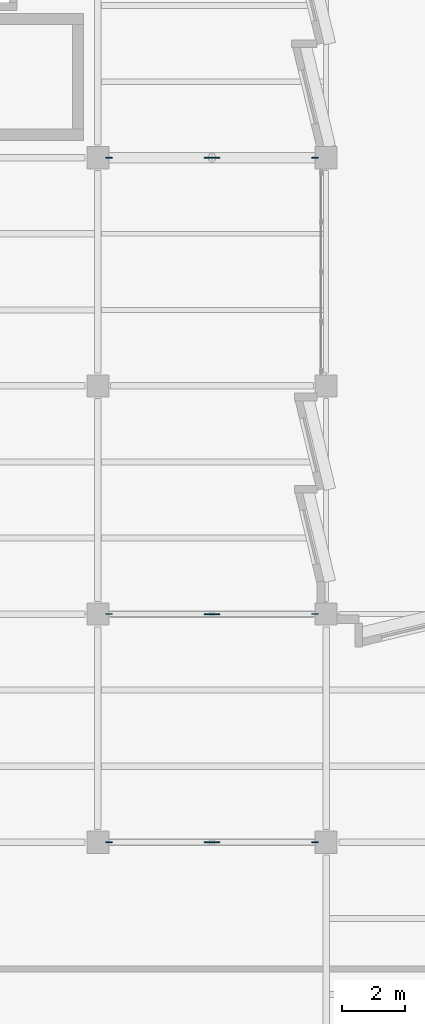
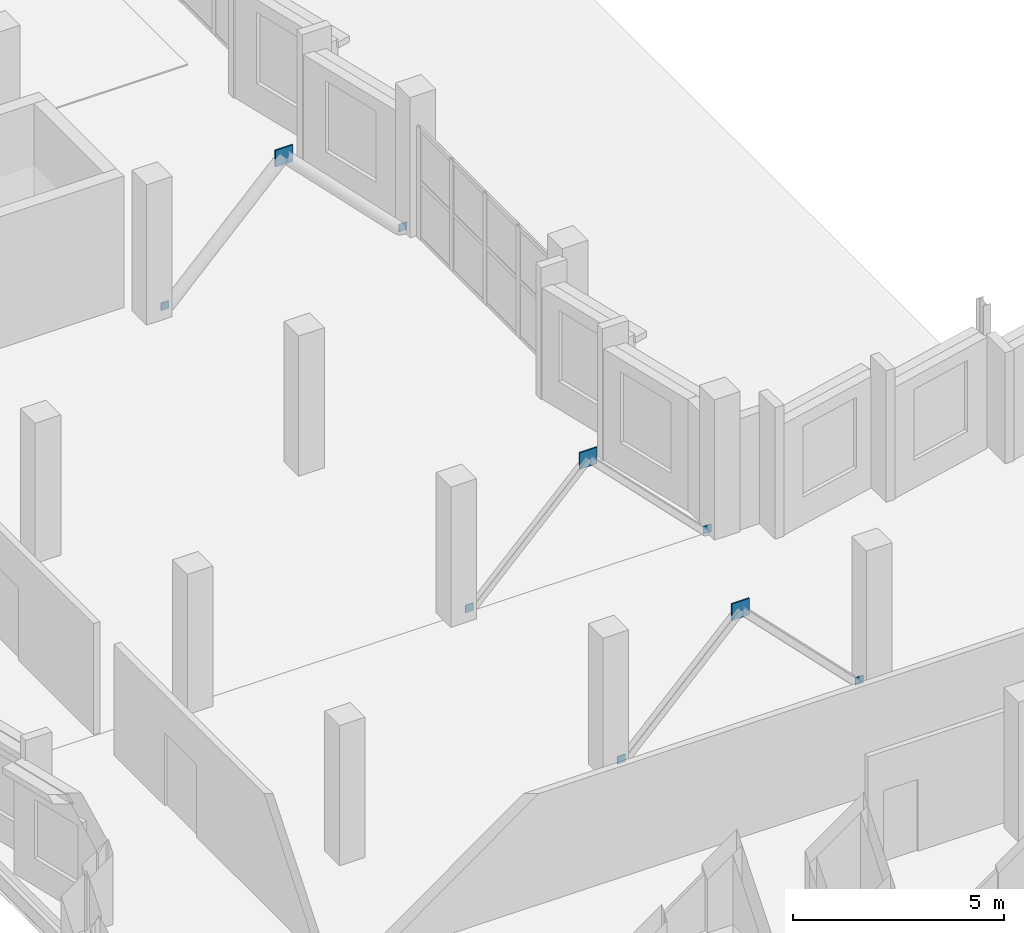
# One storey, part 26 of 38: 9 plates.
"""IFC4 building model written with IfcOpenShell, lengths in metres."""

from ifc_helpers import new_model, si_unit, direction, frame, origin, origin_2d, place, context, subcontext, project, spatial, rectangle, extrude, material, layer, layer_set, type_object, element, save


model = new_model("IFC4")

# Units and contexts
model_context = context("Model", 3, precision=1e-05, world=origin(), true_north=direction((0.0, 1.0)))
body_context = subcontext(model_context, "Body", "Model", "MODEL_VIEW")
ifc_project = project(units=[si_unit("LENGTHUNIT", "METRE"), si_unit("AREAUNIT", "SQUARE_METRE"), si_unit("VOLUMEUNIT", "CUBIC_METRE"), si_unit("PLANEANGLEUNIT", "RADIAN"), si_unit("MASSUNIT", "GRAM", prefix="KILO")], contexts=[model_context])

# Site, building, storey
site_placement = place(None, origin())
site = spatial("IfcSite", under=ifc_project, at=site_placement, CompositionType="ELEMENT")
building_placement = place(site_placement, origin())
building = spatial("IfcBuilding", under=site, at=building_placement, Name="Kalmorath City Hall", CompositionType="ELEMENT")
storey_placement = place(building_placement, frame((0.0, 0.0, 18.89990234375)))
storey = spatial("IfcBuildingStorey", under=building, at=storey_placement, Name="L04", CompositionType="ELEMENT", Elevation=18.89990234375)

# Plates
ifc_material_1 = material(Name="Steel ASTM A572 Grade 50", Category="steel")
ifc_layer_1 = layer(ifc_material_1, 0.02001953125)
ifc_layer_set_1 = layer_set([ifc_layer_1], Name="Steel ASTM A572 Grade 50")
plate_type_1 = type_object("IfcPlateType", Name="Steel HSS end-cap plate 220x220x20", PredefinedType="SHEET", material=ifc_layer_set_1)
for number, where, z_axis, x_axis, name in (
    (1, (14.75, 28.800048828125, 0.0), (0.0, 0.0, 1.0), (1.0, 0.0, 0.0), "L04 brace foot end-plate GP5-6L"),
    (2, (21.25, 28.800048828125, 0.0), (0.0, 0.0, 1.0), (1.0, 0.0, 0.0), "L04 brace foot end-plate GP5-6R"),
    (3, (14.75, 36.0, 0.0), (0.0, 0.0, 1.0), (1.0, 0.0, 0.0), "L04 brace foot end-plate GP5-14L"),
    (4, (21.25, 36.0, 0.0), (0.0, 0.0, 1.0), (1.0, 0.0, 0.0), "L04 brace foot end-plate GP5-14R"),
    (5, (14.75, 50.39990234375, 0.0), (0.0, 0.0, 1.0), (1.0, 0.0, 0.0), "L04 brace foot end-plate GP5-21L"),
    (6, (21.25, 50.39990234375, 0.0), (0.0, 0.0, 1.0), (1.0, 0.0, 0.0), "L04 brace foot end-plate GP5-21R"),
):
    element("IfcPlate", number, at=place(storey_placement, frame(where, z_axis=z_axis, x_axis=x_axis)), inside=storey, type_object=plate_type_1, Name=name, PredefinedType="SHEET", context=body_context, shape_type="SweptSolid", body=[
        extrude(rectangle(XDim=0.219970703125, YDim=0.02001953125, at=origin_2d()), origin(), (0.0, 0.0, 1.0), 0.219970703125),
    ])
ifc_material_2 = material(Name="Steel ASTM A572 Grade 50", Category="steel")
ifc_layer_2 = layer(ifc_material_2, 0.035888671875)
ifc_layer_set_2 = layer_set([ifc_layer_2], Name="Steel ASTM A572 Grade 50")
plate_type_2 = type_object("IfcPlateType", Name="Steel column splice plate 480x480x36", PredefinedType="USERDEFINED", material=ifc_layer_set_2)
for number, where, z_axis, x_axis, name in (
    (7, (18.0, 28.800048828125, 3.06005859375), (0.0, 0.0, 1.0), (1.0, 0.0, 0.0), "L04 brace gusset plate GP6-6"),
    (8, (18.0, 36.0, 3.06005859375), (0.0, 0.0, 1.0), (1.0, 0.0, 0.0), "L04 brace gusset plate GP6-14"),
    (9, (18.0, 50.39990234375, 3.06005859375), (0.0, 0.0, 1.0), (1.0, 0.0, 0.0), "L04 brace gusset plate GP6-21"),
):
    element("IfcPlate", number, at=place(storey_placement, frame(where, z_axis=z_axis, x_axis=x_axis)), inside=storey, type_object=plate_type_2, Name=name, ObjectType="GUSSET PLATE", PredefinedType="USERDEFINED", context=body_context, shape_type="SweptSolid", body=[
        extrude(rectangle(XDim=0.47998046875, YDim=0.035888671875, at=origin_2d()), origin(), (0.0, 0.0, 1.0), 0.47998046875),
    ])

save(model, "model.ifc")
